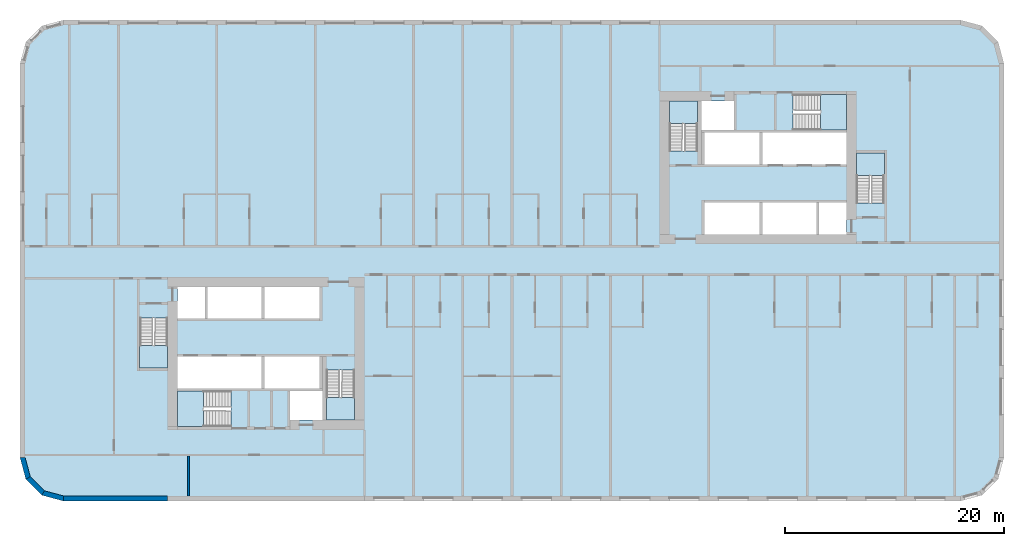
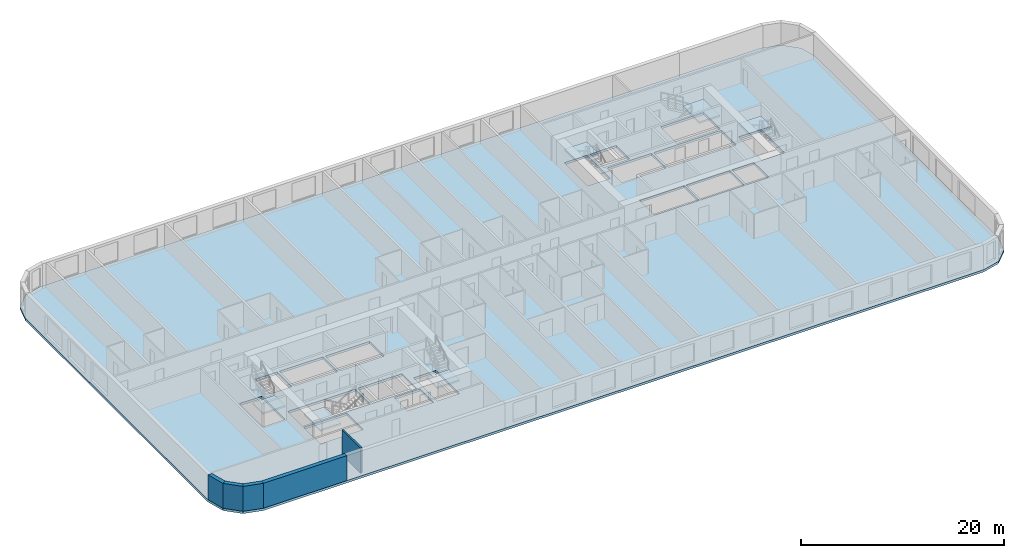
# One storey, part 1 of 12: 7 slabs, 5 walls, 6 elements without a shape of their own.
"""IFC4 building model written with IfcOpenShell, lengths in metres."""

from ifc_helpers import new_model, si_unit, direction, frame, frame_2d, origin, place, context, subcontext, project, spatial, polyline, rectangle, outline, extrude, material, layer, layer_set, type_object, element, aggregate, save


model = new_model("IFC4")

# Units and contexts
model_context = context("Model", 3, precision=1e-05, world=origin(), true_north=direction((0.0, 1.0)))
body_context = subcontext(model_context, "Body", "Model", "MODEL_VIEW")
ifc_project = project(units=[si_unit("LENGTHUNIT", "METRE"), si_unit("AREAUNIT", "SQUARE_METRE"), si_unit("VOLUMEUNIT", "CUBIC_METRE"), si_unit("PLANEANGLEUNIT", "RADIAN"), si_unit("MASSUNIT", "GRAM", prefix="KILO")], contexts=[model_context])

# Site, building, storey
site_placement = place(None, origin())
site = spatial("IfcSite", under=ifc_project, at=site_placement, CompositionType="ELEMENT")
building_placement = place(site_placement, origin())
building = spatial("IfcBuilding", under=site, at=building_placement, Name="Kajstack Hotel Tower", CompositionType="ELEMENT")
storey_placement = place(building_placement, frame((0.0, 0.0, 96.300048828125)))
storey = spatial("IfcBuildingStorey", under=building, at=storey_placement, Name="L20", CompositionType="ELEMENT", Elevation=96.300048828125)

# Slab
ifc_material_1 = material(Name="Concrete C40/50", Category="concrete")
ifc_layer_1 = layer(ifc_material_1, 0.280029296875)
ifc_layer_set_1 = layer_set([ifc_layer_1], Name="RC slab 280 C40/50 guest")
slab_type_1 = type_object("IfcSlabType", Name="RC slab 280 C40/50 guest", PredefinedType="FLOOR", material=ifc_layer_set_1)
slab_1_placement = place(storey_placement, frame((0.0, 0.0, -0.280029296875)))
element("IfcSlab", 1, at=slab_1_placement, inside=storey, type_object=slab_type_1, Name="S-slab-L20", PredefinedType="FLOOR", context=body_context, shape_type="SweptSolid", body=[
    extrude(outline(polyline([(-45.0, -18.0), (-44.464111328125, -20.0), (-43.0, -21.464111328125), (-41.0, -22.0), (41.0, -22.0), (43.0, -21.464111328125), (44.464111328125, -20.0), (45.0, -18.0), (45.0, 18.0), (44.464111328125, 20.0), (43.0, 21.464111328125), (41.0, 22.0), (-41.0, 22.0), (-43.0, 21.464111328125), (-44.464111328125, 20.0), (-45.0, 18.0), (-45.0, -18.0)]), holes=[polyline([(-30.60009765625, -11.699951171875), (-30.60009765625, -8.800048828125), (-22.89990234375, -8.800048828125), (-22.89990234375, -11.699951171875), (-30.60009765625, -11.699951171875)]), polyline([(-22.64990234375, -11.699951171875), (-22.64990234375, -8.800048828125), (-17.60009765625, -8.800048828125), (-17.60009765625, -11.699951171875), (-22.64990234375, -11.699951171875)]), polyline([(-27.85009765625, -5.300048828125), (-27.85009765625, -2.39990234375), (-22.89990234375, -2.39990234375), (-22.89990234375, -5.300048828125), (-27.85009765625, -5.300048828125)]), polyline([(-22.64990234375, -5.300048828125), (-22.64990234375, -2.39990234375), (-17.60009765625, -2.39990234375), (-17.60009765625, -5.300048828125), (-22.64990234375, -5.300048828125)]), polyline([(-20.300048828125, -14.60009765625), (-17.35009765625, -14.60009765625), (-17.35009765625, -11.949951171875), (-20.300048828125, -11.949951171875), (-20.300048828125, -14.60009765625)]), polyline([(-30.60009765625, -5.300048828125), (-28.10009765625, -5.300048828125), (-28.10009765625, -2.39990234375), (-30.60009765625, -2.39990234375), (-30.60009765625, -5.300048828125)]), polyline([(22.89990234375, 8.800048828125), (22.89990234375, 11.699951171875), (30.60009765625, 11.699951171875), (30.60009765625, 8.800048828125), (22.89990234375, 8.800048828125)]), polyline([(17.60009765625, 8.800048828125), (17.60009765625, 11.699951171875), (22.64990234375, 11.699951171875), (22.64990234375, 8.800048828125), (17.60009765625, 8.800048828125)]), polyline([(22.89990234375, 2.39990234375), (22.89990234375, 5.300048828125), (27.85009765625, 5.300048828125), (27.85009765625, 2.39990234375), (22.89990234375, 2.39990234375)]), polyline([(17.60009765625, 2.39990234375), (17.60009765625, 5.300048828125), (22.64990234375, 5.300048828125), (22.64990234375, 2.39990234375), (17.60009765625, 2.39990234375)]), polyline([(20.300048828125, 14.60009765625), (17.35009765625, 14.60009765625), (17.35009765625, 11.949951171875), (20.300048828125, 11.949951171875), (20.300048828125, 14.60009765625)]), polyline([(30.60009765625, 5.300048828125), (28.10009765625, 5.300048828125), (28.10009765625, 2.39990234375), (30.60009765625, 2.39990234375), (30.60009765625, 5.300048828125)]), polyline([(-34.050048828125, -9.85009765625), (-31.5, -9.85009765625), (-31.5, -5.25), (-34.050048828125, -5.25), (-34.050048828125, -9.85009765625)]), polyline([(-16.949951171875, -14.60009765625), (-14.39990234375, -14.60009765625), (-14.39990234375, -10.0), (-16.949951171875, -10.0), (-16.949951171875, -14.60009765625)]), polyline([(-30.60009765625, -15.199951171875), (-25.699951171875, -15.199951171875), (-25.699951171875, -11.949951171875), (-30.60009765625, -11.949951171875), (-30.60009765625, -15.199951171875)]), polyline([(34.050048828125, 9.85009765625), (31.5, 9.85009765625), (31.5, 5.25), (34.050048828125, 5.25), (34.050048828125, 9.85009765625)]), polyline([(16.949951171875, 14.60009765625), (14.39990234375, 14.60009765625), (14.39990234375, 10.0), (16.949951171875, 10.0), (16.949951171875, 14.60009765625)]), polyline([(30.60009765625, 15.199951171875), (25.699951171875, 15.199951171875), (25.699951171875, 11.949951171875), (30.60009765625, 11.949951171875), (30.60009765625, 15.199951171875)])]), origin(), (0.0, 0.0, 1.0), 0.280029296875),
])

# Stair, slab
stair_type_1 = type_object("IfcStairType", Name="Exit stair 1200", PredefinedType="HALF_TURN_STAIR", material=ifc_material_1)
stair_1_placement = place(storey_placement, origin())
stair_1 = element("IfcStair", 2, at=stair_1_placement, inside=storey, type_object=stair_type_1, Name="L20 stair W1", PredefinedType="HALF_TURN_STAIR")
ifc_layer_2 = layer(ifc_material_1, 0.199951171875)
ifc_layer_set_2 = layer_set([ifc_layer_2], Name="Stair landing 200")
slab_type_2 = type_object("IfcSlabType", Name="Stair landing 200", PredefinedType="LANDING", material=ifc_layer_set_2)
slab_2_placement = place(storey_placement, frame((0.0, 0.0, 1.449951171875)))
slab_2 = element("IfcSlab", 3, at=slab_2_placement, type_object=slab_type_2, Name="W1 landing 1", PredefinedType="LANDING", context=body_context, shape_type="SweptSolid", body=[
    extrude(outline(polyline([(-34.050048828125, -7.77001953125), (-34.050048828125, -9.85009765625), (-31.5, -9.85009765625), (-31.5, -7.77001953125), (-34.050048828125, -7.77001953125)])), origin(), (0.0, 0.0, 1.0), 0.199951171875),
])
aggregate(stair_1, [slab_2])

stair_2_placement = place(storey_placement, origin())
stair_2 = element("IfcStair", 4, at=stair_2_placement, inside=storey, type_object=stair_type_1, Name="L20 stair W2", PredefinedType="HALF_TURN_STAIR")
slab_3_placement = place(storey_placement, frame((0.0, 0.0, 1.449951171875)))
slab_3 = element("IfcSlab", 5, at=slab_3_placement, type_object=slab_type_2, Name="W2 landing 1", PredefinedType="LANDING", context=body_context, shape_type="SweptSolid", body=[
    extrude(outline(polyline([(-16.949951171875, -12.52001953125), (-16.949951171875, -14.60009765625), (-14.39990234375, -14.60009765625), (-14.39990234375, -12.52001953125), (-16.949951171875, -12.52001953125)])), origin(), (0.0, 0.0, 1.0), 0.199951171875),
])
aggregate(stair_2, [slab_3])

stair_type_2 = type_object("IfcStairType", Name="Exit stair 1500", PredefinedType="HALF_TURN_STAIR", material=ifc_material_1)
stair_3_placement = place(storey_placement, origin())
stair_3 = element("IfcStair", 6, at=stair_3_placement, inside=storey, type_object=stair_type_2, Name="L20 stair W3", PredefinedType="HALF_TURN_STAIR")
slab_4_placement = place(storey_placement, frame((0.0, 0.0, 1.449951171875)))
slab_4 = element("IfcSlab", 7, at=slab_4_placement, type_object=slab_type_2, Name="W3 landing 1", PredefinedType="LANDING", context=body_context, shape_type="SweptSolid", body=[
    extrude(outline(polyline([(-28.219970703125, -11.949951171875), (-30.60009765625, -11.949951171875), (-30.60009765625, -15.199951171875), (-28.219970703125, -15.199951171875), (-28.219970703125, -11.949951171875)])), origin(), (0.0, 0.0, 1.0), 0.199951171875),
])
aggregate(stair_3, [slab_4])

stair_4_placement = place(storey_placement, origin())
stair_4 = element("IfcStair", 8, at=stair_4_placement, inside=storey, type_object=stair_type_1, Name="L20 stair E1", PredefinedType="HALF_TURN_STAIR")
slab_5_placement = place(storey_placement, frame((0.0, 0.0, 1.449951171875)))
slab_5 = element("IfcSlab", 9, at=slab_5_placement, type_object=slab_type_2, Name="E1 landing 1", PredefinedType="LANDING", context=body_context, shape_type="SweptSolid", body=[
    extrude(outline(polyline([(34.050048828125, 7.77001953125), (34.050048828125, 9.85009765625), (31.5, 9.85009765625), (31.5, 7.77001953125), (34.050048828125, 7.77001953125)])), origin(), (0.0, 0.0, 1.0), 0.199951171875),
])
aggregate(stair_4, [slab_5])

stair_5_placement = place(storey_placement, origin())
stair_5 = element("IfcStair", 10, at=stair_5_placement, inside=storey, type_object=stair_type_1, Name="L20 stair E2", PredefinedType="HALF_TURN_STAIR")
slab_6_placement = place(storey_placement, frame((0.0, 0.0, 1.449951171875)))
slab_6 = element("IfcSlab", 11, at=slab_6_placement, type_object=slab_type_2, Name="E2 landing 1", PredefinedType="LANDING", context=body_context, shape_type="SweptSolid", body=[
    extrude(outline(polyline([(16.949951171875, 12.52001953125), (16.949951171875, 14.60009765625), (14.39990234375, 14.60009765625), (14.39990234375, 12.52001953125), (16.949951171875, 12.52001953125)])), origin(), (0.0, 0.0, 1.0), 0.199951171875),
])
aggregate(stair_5, [slab_6])

stair_6_placement = place(storey_placement, origin())
stair_6 = element("IfcStair", 12, at=stair_6_placement, inside=storey, type_object=stair_type_2, Name="L20 stair E3", PredefinedType="HALF_TURN_STAIR")
slab_7_placement = place(storey_placement, frame((0.0, 0.0, 1.449951171875)))
slab_7 = element("IfcSlab", 13, at=slab_7_placement, type_object=slab_type_2, Name="E3 landing 1", PredefinedType="LANDING", context=body_context, shape_type="SweptSolid", body=[
    extrude(outline(polyline([(28.219970703125, 11.949951171875), (30.60009765625, 11.949951171875), (30.60009765625, 15.199951171875), (28.219970703125, 15.199951171875), (28.219970703125, 11.949951171875)])), origin(), (0.0, 0.0, 1.0), 0.199951171875),
])
aggregate(stair_6, [slab_7])

# Walls
ifc_material_2 = material(Name="Terracotta-faced brick masonry", Category="masonry")
ifc_layer_3 = layer(ifc_material_2, 0.449951171875)
ifc_layer_set_3 = layer_set([ifc_layer_3], Name="EW-TERRA")
wall_type_1 = type_object("IfcWallType", Name="EW-TERRA", PredefinedType="SOLIDWALL", material=ifc_layer_set_3)
wall_1_placement = place(storey_placement, frame((-44.78271484375, -17.941650390625, 0.0), z_axis=(0.0, 0.0, 1.0), x_axis=(0.25881466832, -0.965926999034, 0.0)))
element("IfcWall", 14, at=wall_1_placement, inside=storey, type_object=wall_type_1, Name="E-wall-L20-00-00", PredefinedType="SOLIDWALL", context=body_context, shape_type="SweptSolid", body=[
    extrude(outline(polyline([(0.000244140625, -0.22509765625), (2.070556640625, -0.224853515625), (1.9501953125, 0.22509765625), (0.12060546875, 0.22509765625), (0.000244140625, -0.22509765625)])), origin(), (0.0, 0.0, 1.0), 3.0),
])
wall_2_placement = place(storey_placement, frame((-44.304931640625, -19.8408203125, 0.0), z_axis=(0.0, 0.0, 1.0), x_axis=(0.707106781187, -0.707106781187, 0.0)))
element("IfcWall", 15, at=wall_2_placement, inside=storey, type_object=wall_type_1, Name="E-wall-L20-01-00", PredefinedType="SOLIDWALL", context=body_context, shape_type="SweptSolid", body=[
    extrude(outline(polyline([(0.0, -0.22509765625), (2.070556640625, -0.22509765625), (1.949951171875, 0.224853515625), (0.12060546875, 0.224853515625), (0.0, -0.22509765625)])), origin(), (0.0, 0.0, 1.0), 3.0),
])
wall_3_placement = place(storey_placement, frame((-42.941650390625, -21.246826171875, 0.0), z_axis=(0.0, 0.0, 1.0), x_axis=(0.965926999034, -0.25881466832, 0.0)))
element("IfcWall", 16, at=wall_3_placement, inside=storey, type_object=wall_type_1, Name="E-wall-L20-02-00", PredefinedType="SOLIDWALL", context=body_context, shape_type="SweptSolid", body=[
    extrude(outline(polyline([(-0.000244140625, -0.224853515625), (2.0703125, -0.22509765625), (1.949951171875, 0.22509765625), (0.120361328125, 0.22509765625), (-0.000244140625, -0.224853515625)])), origin(), (0.0, 0.0, 1.0), 3.0),
])
wall_4_placement = place(storey_placement, frame((-41.0, -21.77490234375, 0.0), z_axis=(0.0, 0.0, 1.0), x_axis=(1.0, 0.0, 0.0)))
element("IfcWall", 17, at=wall_4_placement, inside=storey, type_object=wall_type_1, Name="E-wall-L20-03-00", PredefinedType="SOLIDWALL", context=body_context, shape_type="SweptSolid", body=[
    extrude(rectangle(XDim=9.5, YDim=0.449951171875, at=frame_2d((4.75, 0.0))), origin(), (0.0, 0.0, 1.0), 3.0),
])
ifc_material_3 = material(Name="Gypsum board on steel studs, mineral wool", Category="steel")
ifc_layer_4 = layer(ifc_material_3, 0.199951171875)
ifc_layer_set_4 = layer_set([ifc_layer_4], Name="Service partition 200")
wall_type_2 = type_object("IfcWallType", Name="Service partition 200", PredefinedType="PARTITIONING", material=ifc_layer_set_4)
wall_5_placement = place(storey_placement, frame((-29.60009765625, -21.550048828125, 0.0), z_axis=(0.0, 0.0, 1.0), x_axis=(0.0, 1.0, 0.0)))
element("IfcWall", 18, at=wall_5_placement, inside=storey, type_object=wall_type_2, Name="Partition W SLP0", PredefinedType="PARTITIONING", context=body_context, shape_type="SweptSolid", body=[
    extrude(rectangle(XDim=3.650146484375, YDim=0.199951171875, at=frame_2d((1.8251953125, 0.0))), origin(), (0.0, 0.0, 1.0), 3.0),
])

save(model, "model.ifc")
